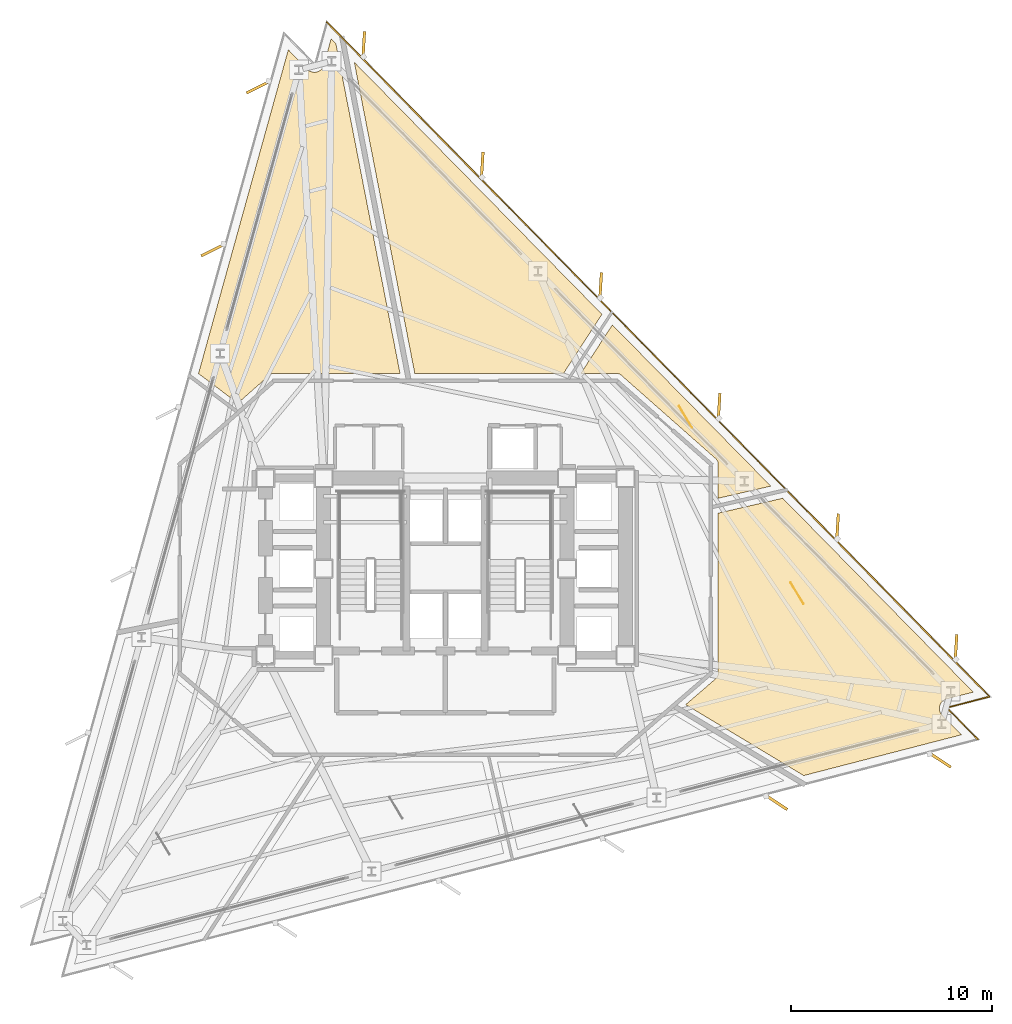
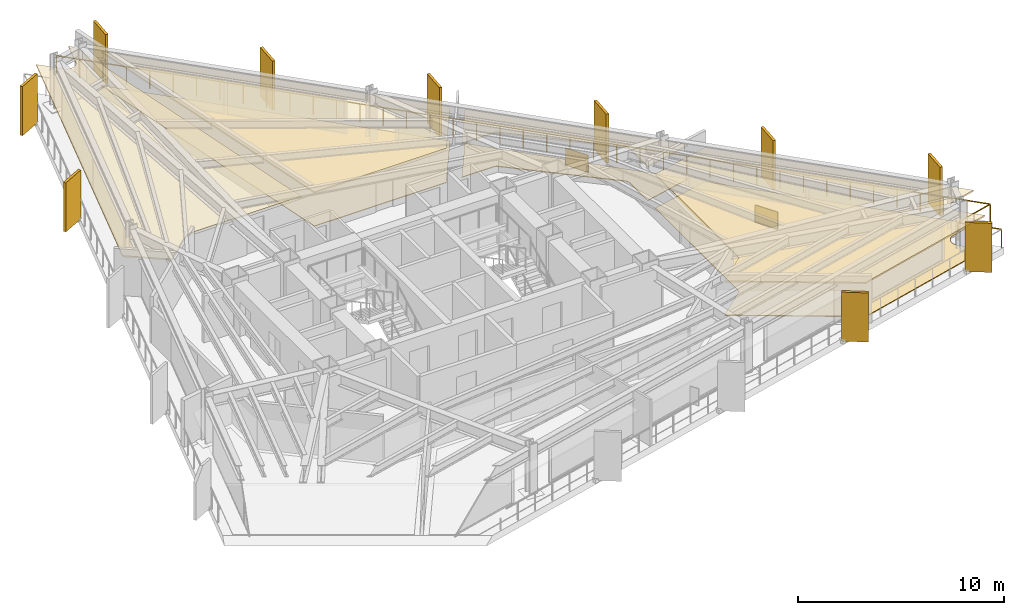
# One storey, part 11 of 11: 10 shading devices, 9 coverings, 1 railing.
"""IFC4 building model written with IfcOpenShell, lengths in metres."""

from ifc_helpers import new_model, si_unit, direction, frame, origin, origin_2d, place, context, subcontext, project, spatial, polyline, rectangle, outline, extrude, material, layer, layer_set, type_object, element, save


model = new_model("IFC4")

# Units and contexts
model_context = context("Model", 3, precision=1e-05, world=origin(), true_north=direction((0.0, 1.0)))
body_context = subcontext(model_context, "Body", "Model", "MODEL_VIEW")
ifc_project = project(units=[si_unit("LENGTHUNIT", "METRE"), si_unit("AREAUNIT", "SQUARE_METRE"), si_unit("VOLUMEUNIT", "CUBIC_METRE"), si_unit("PLANEANGLEUNIT", "RADIAN"), si_unit("MASSUNIT", "GRAM", prefix="KILO")], contexts=[model_context])

# Site, building, storey
site_placement = place(None, origin())
site = spatial("IfcSite", under=ifc_project, at=site_placement, CompositionType="ELEMENT")
building_placement = place(site_placement, origin())
building = spatial("IfcBuilding", under=site, at=building_placement, Name="Rocaltana Carrier Exchange", CompositionType="ELEMENT")
storey_placement = place(building_placement, frame((0.0, 0.0, 76.47998046875)))
storey = spatial("IfcBuildingStorey", under=building, at=storey_placement, Name="L23", CompositionType="ELEMENT", Elevation=76.47998046875)

# Coverings
ifc_material_1 = material(Name="Honed Bogota Sandstone Tile", Category="masonry")
ifc_layer_1 = layer(ifc_material_1, 0.0400390625)
ifc_layer_set_1 = layer_set([ifc_layer_1], Name="Honed Bogota Sandstone Tile")
covering_type_1 = type_object("IfcCoveringType", Name="Honed Stone Lobby Flooring 40", PredefinedType="FLOORING", material=ifc_layer_set_1)
covering_1_placement = place(storey_placement, origin())
element("IfcCovering", 1, at=covering_1_placement, inside=storey, type_object=covering_type_1, Name="L23 Optical Switching Laboratory Finish Floor", PredefinedType="FLOORING", context=body_context, shape_type="SweptSolid", body=[
    extrude(outline(polyline([(26.24072265625, -6.1357421875), (24.915771484375, -6.478515625), (24.90234375, -6.482177734375), (24.88330078125, -6.48828125), (24.857177734375, -6.497802734375), (24.838623046875, -6.505615234375), (24.813720703125, -6.517822265625), (24.796142578125, -6.52734375), (24.7724609375, -6.5419921875), (24.755859375, -6.553466796875), (24.73388671875, -6.5703125), (24.718505859375, -6.583251953125), (24.697998046875, -6.602294921875), (24.684326171875, -6.61669921875), (24.666015625, -6.6376953125), (24.653564453125, -6.6533203125), (24.63720703125, -6.67578125), (24.62646484375, -6.692626953125), (24.61279296875, -6.717041015625), (24.603515625, -6.734619140625), (24.59228515625, -6.76025390625), (24.5849609375, -6.77880859375), (24.576416015625, -6.805419921875), (24.57080078125, -6.824462890625), (24.564697265625, -6.851806640625), (24.561279296875, -6.871337890625), (24.55810546875, -6.899169921875), (24.556640625, -6.9189453125), (24.55615234375, -6.947021484375), (24.556640625, -6.966796875), (24.558837890625, -6.99462890625), (24.561279296875, -7.014404296875), (24.56640625, -7.0419921875), (24.57080078125, -7.061279296875), (24.57861328125, -7.088134765625), (24.5849609375, -7.10693359375), (24.59521484375, -7.133056640625), (24.603515625, -7.151123046875), (24.6162109375, -7.17578125), (24.626220703125, -7.193115234375), (24.6416015625, -7.216552734375), (24.6533203125, -7.232666015625), (24.6708984375, -7.25439453125), (24.68408203125, -7.269287109375), (24.693603515625, -7.279541015625), (25.65283203125, -8.255615234375), (17.81298828125, -10.283203125), (11.944580078125, -6.757080078125), (13.43505859375, -5.47265625), (13.44482421875, -5.4638671875), (13.450439453125, -5.45849609375), (13.468994140625, -5.439208984375), (13.47412109375, -5.433349609375), (13.490478515625, -5.41259765625), (13.4951171875, -5.40625), (13.509521484375, -5.3837890625), (13.51318359375, -5.377197265625), (13.525634765625, -5.353515625), (13.52880859375, -5.346435546875), (13.538818359375, -5.32177734375), (13.541259765625, -5.314453125), (13.548828125, -5.288818359375), (13.550537109375, -5.281494140625), (13.5556640625, -5.255126953125), (13.556884765625, -5.24755859375), (13.559326171875, -5.220947265625), (13.559814453125, -5.21337890625), (13.56005859375, -5.199951171875), (13.56005859375, 2.760986328125), (16.769775390625, 3.502197265625), (26.24072265625, -6.1357421875)])), origin(), (0.0, 0.0, 1.0), 0.0400390625),
])
covering_2_placement = place(storey_placement, origin())
element("IfcCovering", 2, at=covering_2_placement, inside=storey, type_object=covering_type_1, Name="L23 Executive Peering Boardroom Finish Floor", PredefinedType="FLOORING", context=body_context, shape_type="SweptSolid", body=[
    extrude(outline(polyline([(16.177734375, 4.1044921875), (13.56005859375, 3.5), (13.56005859375, 5.199951171875), (13.559814453125, 5.213134765625), (13.559326171875, 5.220703125), (13.556884765625, 5.246826171875), (13.555908203125, 5.25439453125), (13.55078125, 5.2802734375), (13.549072265625, 5.28759765625), (13.541748046875, 5.31298828125), (13.539306640625, 5.320068359375), (13.529541015625, 5.344482421875), (13.526611328125, 5.351318359375), (13.5146484375, 5.375), (13.5107421875, 5.38134765625), (13.49658203125, 5.40380859375), (13.492431640625, 5.409912109375), (13.476318359375, 5.4306640625), (13.471435546875, 5.436279296875), (13.453369140625, 5.455810546875), (13.447998046875, 5.4609375), (13.438232421875, 5.469970703125), (8.73828125, 9.619873046875), (8.727294921875, 9.629150390625), (8.720703125, 9.63427734375), (8.697265625, 9.651123046875), (8.690185546875, 9.655517578125), (8.6650390625, 9.669921875), (8.65771484375, 9.673583984375), (8.631103515625, 9.68505859375), (8.62353515625, 9.68798828125), (8.595947265625, 9.697021484375), (8.587890625, 9.698974609375), (8.5595703125, 9.704833984375), (8.551513671875, 9.706298828125), (8.522705078125, 9.709228515625), (8.514404296875, 9.709716796875), (8.5, 9.7099609375), (6.735107421875, 9.7099609375), (8.30029296875, 12.12060546875), (16.177734375, 4.1044921875)])), origin(), (0.0, 0.0, 1.0), 0.0400390625),
])
covering_3_placement = place(storey_placement, origin())
element("IfcCovering", 3, at=covering_3_placement, inside=storey, type_object=covering_type_1, Name="L23 Peering Conference Room Finish Floor", PredefinedType="FLOORING", context=body_context, shape_type="SweptSolid", body=[
    extrude(outline(polyline([(7.783447265625, 12.646484375), (5.87646484375, 9.7099609375), (-1.520751953125, 9.7099609375), (-4.5263671875, 25.173095703125), (7.783447265625, 12.646484375)])), origin(), (0.0, 0.0, 1.0), 0.0400390625),
])
ifc_material_2 = material(Name="Anodised Aluminium 6063-T6", Category="aluminium")
ifc_layer_2 = layer(ifc_material_2, 0.0849609375)
ifc_layer_set_2 = layer_set([ifc_layer_2], Name="Anodised Aluminium 6063-T6")
covering_type_2 = type_object("IfcCoveringType", Name="Linear Baffle Acoustic Ceiling 85", PredefinedType="CEILING", material=ifc_layer_set_2)
covering_4_placement = place(storey_placement, frame((0.0, 0.0, 1.972900390625)))
element("IfcCovering", 4, at=covering_4_placement, inside=storey, type_object=covering_type_2, Name="L23 Optical Switching Laboratory Acoustic Ceiling", PredefinedType="CEILING", context=body_context, shape_type="SweptSolid", body=[
    extrude(outline(polyline([(26.24072265625, -6.1357421875), (24.915771484375, -6.478515625), (24.90234375, -6.482177734375), (24.88330078125, -6.48828125), (24.857177734375, -6.497802734375), (24.838623046875, -6.505615234375), (24.813720703125, -6.517822265625), (24.796142578125, -6.52734375), (24.7724609375, -6.5419921875), (24.755859375, -6.553466796875), (24.73388671875, -6.5703125), (24.718505859375, -6.583251953125), (24.697998046875, -6.602294921875), (24.684326171875, -6.61669921875), (24.666015625, -6.6376953125), (24.653564453125, -6.6533203125), (24.63720703125, -6.67578125), (24.62646484375, -6.692626953125), (24.61279296875, -6.717041015625), (24.603515625, -6.734619140625), (24.59228515625, -6.76025390625), (24.5849609375, -6.77880859375), (24.576416015625, -6.805419921875), (24.57080078125, -6.824462890625), (24.564697265625, -6.851806640625), (24.561279296875, -6.871337890625), (24.55810546875, -6.899169921875), (24.556640625, -6.9189453125), (24.55615234375, -6.947021484375), (24.556640625, -6.966796875), (24.558837890625, -6.99462890625), (24.561279296875, -7.014404296875), (24.56640625, -7.0419921875), (24.57080078125, -7.061279296875), (24.57861328125, -7.088134765625), (24.5849609375, -7.10693359375), (24.59521484375, -7.133056640625), (24.603515625, -7.151123046875), (24.6162109375, -7.17578125), (24.626220703125, -7.193115234375), (24.6416015625, -7.216552734375), (24.6533203125, -7.232666015625), (24.6708984375, -7.25439453125), (24.68408203125, -7.269287109375), (24.693603515625, -7.279541015625), (25.65283203125, -8.255615234375), (17.81298828125, -10.283203125), (11.944580078125, -6.757080078125), (13.43505859375, -5.47265625), (13.44482421875, -5.4638671875), (13.450439453125, -5.45849609375), (13.468994140625, -5.439208984375), (13.47412109375, -5.433349609375), (13.490478515625, -5.41259765625), (13.4951171875, -5.40625), (13.509521484375, -5.3837890625), (13.51318359375, -5.377197265625), (13.525634765625, -5.353515625), (13.52880859375, -5.346435546875), (13.538818359375, -5.32177734375), (13.541259765625, -5.314453125), (13.548828125, -5.288818359375), (13.550537109375, -5.281494140625), (13.5556640625, -5.255126953125), (13.556884765625, -5.24755859375), (13.559326171875, -5.220947265625), (13.559814453125, -5.21337890625), (13.56005859375, -5.199951171875), (13.56005859375, 2.760986328125), (16.769775390625, 3.502197265625), (26.24072265625, -6.1357421875)])), origin(), (0.0, 0.0, 1.0), 0.085205078125),
])
covering_5_placement = place(storey_placement, frame((0.0, 0.0, 1.972900390625)))
element("IfcCovering", 5, at=covering_5_placement, inside=storey, type_object=covering_type_2, Name="L23 Executive Peering Boardroom Acoustic Ceiling", PredefinedType="CEILING", context=body_context, shape_type="SweptSolid", body=[
    extrude(outline(polyline([(16.177734375, 4.1044921875), (13.56005859375, 3.5), (13.56005859375, 5.199951171875), (13.559814453125, 5.213134765625), (13.559326171875, 5.220703125), (13.556884765625, 5.246826171875), (13.555908203125, 5.25439453125), (13.55078125, 5.2802734375), (13.549072265625, 5.28759765625), (13.541748046875, 5.31298828125), (13.539306640625, 5.320068359375), (13.529541015625, 5.344482421875), (13.526611328125, 5.351318359375), (13.5146484375, 5.375), (13.5107421875, 5.38134765625), (13.49658203125, 5.40380859375), (13.492431640625, 5.409912109375), (13.476318359375, 5.4306640625), (13.471435546875, 5.436279296875), (13.453369140625, 5.455810546875), (13.447998046875, 5.4609375), (13.438232421875, 5.469970703125), (8.73828125, 9.619873046875), (8.727294921875, 9.629150390625), (8.720703125, 9.63427734375), (8.697265625, 9.651123046875), (8.690185546875, 9.655517578125), (8.6650390625, 9.669921875), (8.65771484375, 9.673583984375), (8.631103515625, 9.68505859375), (8.62353515625, 9.68798828125), (8.595947265625, 9.697021484375), (8.587890625, 9.698974609375), (8.5595703125, 9.704833984375), (8.551513671875, 9.706298828125), (8.522705078125, 9.709228515625), (8.514404296875, 9.709716796875), (8.5, 9.7099609375), (6.735107421875, 9.7099609375), (8.30029296875, 12.12060546875), (16.177734375, 4.1044921875)])), origin(), (0.0, 0.0, 1.0), 0.085205078125),
])
covering_6_placement = place(storey_placement, frame((0.0, 0.0, 1.972900390625)))
element("IfcCovering", 6, at=covering_6_placement, inside=storey, type_object=covering_type_2, Name="L23 Peering Conference Room Acoustic Ceiling", PredefinedType="CEILING", context=body_context, shape_type="SweptSolid", body=[
    extrude(outline(polyline([(7.783447265625, 12.646484375), (5.87646484375, 9.7099609375), (-1.520751953125, 9.7099609375), (-4.5263671875, 25.173095703125), (7.783447265625, 12.646484375)])), origin(), (0.0, 0.0, 1.0), 0.085205078125),
])
covering_7_placement = place(storey_placement, frame((0.0, 0.0, 1.972900390625)))
element("IfcCovering", 7, at=covering_7_placement, inside=storey, type_object=covering_type_2, Name="L23 Quiet Focus Lounge Acoustic Ceiling", PredefinedType="CEILING", context=body_context, shape_type="SweptSolid", body=[
    extrude(outline(polyline([(-7.806640625, 25.79296875), (-6.847412109375, 24.81689453125), (-6.83740234375, 24.80712890625), (-6.82275390625, 24.793701171875), (-6.80126953125, 24.775634765625), (-6.785400390625, 24.763671875), (-6.76220703125, 24.748046875), (-6.7451171875, 24.73779296875), (-6.720703125, 24.724609375), (-6.70263671875, 24.7158203125), (-6.677001953125, 24.705078125), (-6.658203125, 24.698486328125), (-6.63134765625, 24.690185546875), (-6.612060546875, 24.685302734375), (-6.584716796875, 24.679931640625), (-6.56494140625, 24.677001953125), (-6.537109375, 24.67431640625), (-6.517333984375, 24.673583984375), (-6.489501953125, 24.673583984375), (-6.469482421875, 24.6748046875), (-6.441650390625, 24.677490234375), (-6.422119140625, 24.6806640625), (-6.39453125, 24.686279296875), (-6.375244140625, 24.691162109375), (-6.3486328125, 24.699462890625), (-6.330078125, 24.706298828125), (-6.30419921875, 24.71728515625), (-6.286376953125, 24.72607421875), (-6.261962890625, 24.739501953125), (-6.244873046875, 24.75), (-6.221923828125, 24.765869140625), (-6.2060546875, 24.77783203125), (-6.184814453125, 24.7958984375), (-6.170166015625, 24.8095703125), (-6.15087890625, 24.82958984375), (-6.1376953125, 24.844482421875), (-6.120361328125, 24.866455078125), (-6.108642578125, 24.8828125), (-6.09375, 24.90625), (-6.083740234375, 24.923583984375), (-6.071044921875, 24.948486328125), (-6.06298828125, 24.966552734375), (-6.052978515625, 24.99267578125), (-6.046630859375, 25.01171875), (-6.04248046875, 25.02490234375), (-5.6767578125, 26.34375), (-5.44091796875, 26.103759765625), (-2.254150390625, 9.7099609375), (-8.5, 9.7099609375), (-8.514404296875, 9.709716796875), (-8.522705078125, 9.709228515625), (-8.551513671875, 9.706298828125), (-8.5595703125, 9.704833984375), (-8.587890625, 9.698974609375), (-8.595947265625, 9.697021484375), (-8.62353515625, 9.68798828125), (-8.631103515625, 9.68505859375), (-8.65771484375, 9.673583984375), (-8.6650390625, 9.669921875), (-8.690185546875, 9.655517578125), (-8.697265625, 9.651123046875), (-8.720703125, 9.63427734375), (-8.727294921875, 9.629150390625), (-8.73828125, 9.619873046875), (-10.3173828125, 8.2255859375), (-12.2705078125, 9.697265625), (-7.806640625, 25.79296875)])), origin(), (0.0, 0.0, 1.0), 0.085205078125),
])
ifc_material_3 = material(Name="Honed Piedra Muneca Sandstone", Category="masonry")
ifc_layer_3 = layer(ifc_material_3, 0.034912109375)
ifc_layer_set_3 = layer_set([ifc_layer_3], Name="Honed Piedra Muneca Sandstone")
covering_type_3 = type_object("IfcCoveringType", Name="Stone Facade Cladding 35", PredefinedType="CLADDING", material=ifc_layer_set_3)
for number, where, z_axis, x_axis, name in (
    (8, (17.48486328125, -1.219482421875, 0.0), (0.0, 0.0, 1.0), (-0.51503807491, 0.857167300702, 0.0), "L23 Stone Facade Cladding Panel 4"),
    (9, (11.942626953125, 7.544921875, 0.0), (0.0, 0.0, 1.0), (-0.51503807491, 0.857167300702, 0.0), "L23 Stone Facade Cladding Panel 5"),
):
    element("IfcCovering", number, at=place(storey_placement, frame(where, z_axis=z_axis, x_axis=x_axis)), inside=storey, type_object=covering_type_3, Name=name, PredefinedType="CLADDING", context=body_context, shape_type="SweptSolid", body=[
        extrude(rectangle(XDim=1.25, YDim=0.034912109375, at=origin_2d()), origin(), (0.0, 0.0, 1.0), 1.050048828125),
    ])

# Shading devices
ifc_material_4 = material(Name="Honed Bogota Sandstone & Concrete C45/55", Category="masonry")
ifc_layer_4 = layer(ifc_material_4, 0.139892578125)
ifc_layer_set_4 = layer_set([ifc_layer_4], Name="Honed Bogota Sandstone & Concrete C45/55")
shading_device_type = type_object("IfcShadingDeviceType", Name="Vertical Sandstone Shading Fin 1320x140", PredefinedType="USERDEFINED", material=ifc_layer_set_4)
for number, where, z_axis, x_axis, name in (
    (10, (25.38134765625, -3.9189453125, -0.1201171875), (0.0, 0.0, 1.0), (0.061048539535, 0.998134798422, 0.0), "L23 Sandstone Vertical Fin F1-01"),
    (11, (19.49365234375, 2.072509765625, -0.1201171875), (0.0, 0.0, 1.0), (0.061048539535, 0.998134798422, 0.0), "L23 Sandstone Vertical Fin F1-02"),
    (12, (13.60595703125, 8.063720703125, -0.1201171875), (0.0, 0.0, 1.0), (0.061048539535, 0.998134798422, 0.0), "L23 Sandstone Vertical Fin F1-03"),
    (13, (7.718505859375, 14.054931640625, -0.1201171875), (0.0, 0.0, 1.0), (0.061048539535, 0.998134798422, 0.0), "L23 Sandstone Vertical Fin F1-04"),
    (14, (1.830810546875, 20.04638671875, -0.1201171875), (0.0, 0.0, 1.0), (0.061048539535, 0.998134798422, 0.0), "L23 Sandstone Vertical Fin F1-05"),
    (15, (-4.056884765625, 26.03759765625, -0.1201171875), (0.0, 0.0, 1.0), (0.061048539535, 0.998134798422, 0.0), "L23 Sandstone Vertical Fin F1-06"),
    (16, (-9.296630859375, 23.940185546875, -0.1201171875), (0.0, 0.0, 1.0), (-0.894934361602, -0.44619781311, 0.0), "L23 Sandstone Vertical Fin F2-01"),
    (17, (-11.54150390625, 15.845703125, -0.1201171875), (0.0, 0.0, 1.0), (-0.894934361602, -0.44619781311, 0.0), "L23 Sandstone Vertical Fin F2-02"),
    (18, (16.4453125, -11.608642578125, -0.1201171875), (0.0, 0.0, 1.0), (0.833885822067, -0.551936985312, 0.0), "L23 Sandstone Vertical Fin F3-05"),
    (19, (24.57763671875, -9.50537109375, -0.1201171875), (0.0, 0.0, 1.0), (0.833885822067, -0.551936985312, 0.0), "L23 Sandstone Vertical Fin F3-06"),
):
    element("IfcShadingDevice", number, at=place(storey_placement, frame(where, z_axis=z_axis, x_axis=x_axis)), inside=storey, type_object=shading_device_type, Name=name, ObjectType="FIN", PredefinedType="USERDEFINED", context=body_context, shape_type="SweptSolid", body=[
        extrude(rectangle(XDim=1.320068359375, YDim=0.139892578125, at=origin_2d()), origin(), (0.0, 0.0, 1.0), 2.907958984375),
    ])

# Railing
ifc_material_5 = material(Name="Powder-Coated Aluminium 6063-T6", Category="aluminium")
ifc_layer_5 = layer(ifc_material_5, 0.06005859375)
ifc_layer_set_5 = layer_set([ifc_layer_5], Name="Powder-Coated Aluminium 6063-T6")
railing_type = type_object("IfcRailingType", Name="Wind-Floor & Terrace Perimeter Guardrail 1100", PredefinedType="GUARDRAIL", material=ifc_layer_set_5)
railing_placement = place(storey_placement, frame((-5.88720703125, 27.156982421875, 0.0)))
element("IfcRailing", 20, at=railing_placement, inside=storey, type_object=railing_type, Name="L23 Perimeter Balcony Guardrail 3", PredefinedType="GUARDRAIL", context=body_context, shape_type="SweptSolid", body=[
    extrude(rectangle(XDim=0.048095703125, YDim=0.048095703125, at=origin_2d()), frame((0.0, 0.0, 1.076171875), z_axis=(0.7009130267, -0.713246751835, 0.0), x_axis=(0.713246751835, 0.7009130267, 0.0)), (0.0, 0.0, 1.0), 46.9921875),
    extrude(rectangle(XDim=0.048095703125, YDim=0.048095703125, at=origin_2d()), frame((32.9375, -33.51708984375, 1.076171875), z_axis=(-0.968152477167, -0.250361300835, 0.0), x_axis=(0.250361300835, -0.968152477167, 0.0)), (0.0, 0.0, 1.0), 2.199951171875),
    extrude(rectangle(XDim=0.048095703125, YDim=0.048095703125, at=origin_2d()), frame((30.8076171875, -34.06787109375, 1.076171875), z_axis=(0.700920820206, -0.713239093012, 0.0), x_axis=(0.713239093012, 0.700920820206, 0.0)), (0.0, 0.0, 1.0), 2.199951171875),
    extrude(rectangle(XDim=0.0419921875, YDim=0.0419921875, at=origin_2d()), origin(), (0.0, 0.0, 1.0), 1.052001953125),
    extrude(rectangle(XDim=0.0419921875, YDim=0.0419921875, at=origin_2d()), frame((0.823486328125, -0.837890625, 0.0)), (0.0, 0.0, 1.0), 1.052001953125),
    extrude(rectangle(XDim=0.0419921875, YDim=0.0419921875, at=origin_2d()), frame((1.64697265625, -1.67578125, 0.0)), (0.0, 0.0, 1.0), 1.052001953125),
    extrude(rectangle(XDim=0.0419921875, YDim=0.0419921875, at=origin_2d()), frame((2.47021484375, -2.513671875, 0.0)), (0.0, 0.0, 1.0), 1.052001953125),
    extrude(rectangle(XDim=0.0419921875, YDim=0.0419921875, at=origin_2d()), frame((3.293701171875, -3.351806640625, 0.0)), (0.0, 0.0, 1.0), 1.052001953125),
    extrude(rectangle(XDim=0.0419921875, YDim=0.0419921875, at=origin_2d()), frame((4.1171875, -4.189697265625, 0.0)), (0.0, 0.0, 1.0), 1.052001953125),
    extrude(rectangle(XDim=0.0419921875, YDim=0.0419921875, at=origin_2d()), frame((4.940673828125, -5.027587890625, 0.0)), (0.0, 0.0, 1.0), 1.052001953125),
    extrude(rectangle(XDim=0.0419921875, YDim=0.0419921875, at=origin_2d()), frame((5.76416015625, -5.865478515625, 0.0)), (0.0, 0.0, 1.0), 1.052001953125),
    extrude(rectangle(XDim=0.0419921875, YDim=0.0419921875, at=origin_2d()), frame((6.58740234375, -6.703369140625, 0.0)), (0.0, 0.0, 1.0), 1.052001953125),
    extrude(rectangle(XDim=0.0419921875, YDim=0.0419921875, at=origin_2d()), frame((7.410888671875, -7.541259765625, 0.0)), (0.0, 0.0, 1.0), 1.052001953125),
    extrude(rectangle(XDim=0.0419921875, YDim=0.0419921875, at=origin_2d()), frame((8.234375, -8.37939453125, 0.0)), (0.0, 0.0, 1.0), 1.052001953125),
    extrude(rectangle(XDim=0.0419921875, YDim=0.0419921875, at=origin_2d()), frame((9.057861328125, -9.21728515625, 0.0)), (0.0, 0.0, 1.0), 1.052001953125),
    extrude(rectangle(XDim=0.0419921875, YDim=0.0419921875, at=origin_2d()), frame((9.88134765625, -10.05517578125, 0.0)), (0.0, 0.0, 1.0), 1.052001953125),
    extrude(rectangle(XDim=0.0419921875, YDim=0.0419921875, at=origin_2d()), frame((10.70458984375, -10.89306640625, 0.0)), (0.0, 0.0, 1.0), 1.052001953125),
    extrude(rectangle(XDim=0.0419921875, YDim=0.0419921875, at=origin_2d()), frame((11.528076171875, -11.73095703125, 0.0)), (0.0, 0.0, 1.0), 1.052001953125),
    extrude(rectangle(XDim=0.0419921875, YDim=0.0419921875, at=origin_2d()), frame((12.3515625, -12.56884765625, 0.0)), (0.0, 0.0, 1.0), 1.052001953125),
    extrude(rectangle(XDim=0.0419921875, YDim=0.0419921875, at=origin_2d()), frame((13.175048828125, -13.40673828125, 0.0)), (0.0, 0.0, 1.0), 1.052001953125),
    extrude(rectangle(XDim=0.0419921875, YDim=0.0419921875, at=origin_2d()), frame((13.99853515625, -14.244873046875, 0.0)), (0.0, 0.0, 1.0), 1.052001953125),
    extrude(rectangle(XDim=0.0419921875, YDim=0.0419921875, at=origin_2d()), frame((14.82177734375, -15.082763671875, 0.0)), (0.0, 0.0, 1.0), 1.052001953125),
    extrude(rectangle(XDim=0.0419921875, YDim=0.0419921875, at=origin_2d()), frame((15.645263671875, -15.920654296875, 0.0)), (0.0, 0.0, 1.0), 1.052001953125),
    extrude(rectangle(XDim=0.0419921875, YDim=0.0419921875, at=origin_2d()), frame((16.46875, -16.758544921875, 0.0)), (0.0, 0.0, 1.0), 1.052001953125),
    extrude(rectangle(XDim=0.0419921875, YDim=0.0419921875, at=origin_2d()), frame((17.292236328125, -17.596435546875, 0.0)), (0.0, 0.0, 1.0), 1.052001953125),
    extrude(rectangle(XDim=0.0419921875, YDim=0.0419921875, at=origin_2d()), frame((18.11572265625, -18.434326171875, 0.0)), (0.0, 0.0, 1.0), 1.052001953125),
    extrude(rectangle(XDim=0.0419921875, YDim=0.0419921875, at=origin_2d()), frame((18.93896484375, -19.272216796875, 0.0)), (0.0, 0.0, 1.0), 1.052001953125),
    extrude(rectangle(XDim=0.0419921875, YDim=0.0419921875, at=origin_2d()), frame((19.762451171875, -20.1103515625, 0.0)), (0.0, 0.0, 1.0), 1.052001953125),
    extrude(rectangle(XDim=0.0419921875, YDim=0.0419921875, at=origin_2d()), frame((20.5859375, -20.9482421875, 0.0)), (0.0, 0.0, 1.0), 1.052001953125),
    extrude(rectangle(XDim=0.0419921875, YDim=0.0419921875, at=origin_2d()), frame((21.409423828125, -21.7861328125, 0.0)), (0.0, 0.0, 1.0), 1.052001953125),
    extrude(rectangle(XDim=0.0419921875, YDim=0.0419921875, at=origin_2d()), frame((22.23291015625, -22.6240234375, 0.0)), (0.0, 0.0, 1.0), 1.052001953125),
    extrude(rectangle(XDim=0.0419921875, YDim=0.0419921875, at=origin_2d()), frame((23.05615234375, -23.4619140625, 0.0)), (0.0, 0.0, 1.0), 1.052001953125),
    extrude(rectangle(XDim=0.0419921875, YDim=0.0419921875, at=origin_2d()), frame((23.879638671875, -24.2998046875, 0.0)), (0.0, 0.0, 1.0), 1.052001953125),
    extrude(rectangle(XDim=0.0419921875, YDim=0.0419921875, at=origin_2d()), frame((24.703125, -25.1376953125, 0.0)), (0.0, 0.0, 1.0), 1.052001953125),
    extrude(rectangle(XDim=0.0419921875, YDim=0.0419921875, at=origin_2d()), frame((25.526611328125, -25.975830078125, 0.0)), (0.0, 0.0, 1.0), 1.052001953125),
    extrude(rectangle(XDim=0.0419921875, YDim=0.0419921875, at=origin_2d()), frame((26.35009765625, -26.813720703125, 0.0)), (0.0, 0.0, 1.0), 1.052001953125),
    extrude(rectangle(XDim=0.0419921875, YDim=0.0419921875, at=origin_2d()), frame((27.17333984375, -27.651611328125, 0.0)), (0.0, 0.0, 1.0), 1.052001953125),
    extrude(rectangle(XDim=0.0419921875, YDim=0.0419921875, at=origin_2d()), frame((27.996826171875, -28.489501953125, 0.0)), (0.0, 0.0, 1.0), 1.052001953125),
    extrude(rectangle(XDim=0.0419921875, YDim=0.0419921875, at=origin_2d()), frame((28.8203125, -29.327392578125, 0.0)), (0.0, 0.0, 1.0), 1.052001953125),
    extrude(rectangle(XDim=0.0419921875, YDim=0.0419921875, at=origin_2d()), frame((29.643798828125, -30.165283203125, 0.0)), (0.0, 0.0, 1.0), 1.052001953125),
    extrude(rectangle(XDim=0.0419921875, YDim=0.0419921875, at=origin_2d()), frame((30.46728515625, -31.00341796875, 0.0)), (0.0, 0.0, 1.0), 1.052001953125),
    extrude(rectangle(XDim=0.0419921875, YDim=0.0419921875, at=origin_2d()), frame((31.29052734375, -31.84130859375, 0.0)), (0.0, 0.0, 1.0), 1.052001953125),
    extrude(rectangle(XDim=0.0419921875, YDim=0.0419921875, at=origin_2d()), frame((32.114013671875, -32.67919921875, 0.0)), (0.0, 0.0, 1.0), 1.052001953125),
    extrude(rectangle(XDim=0.0419921875, YDim=0.0419921875, at=origin_2d()), frame((32.9375, -33.51708984375, 0.0)), (0.0, 0.0, 1.0), 1.052001953125),
    extrude(rectangle(XDim=0.0419921875, YDim=0.0419921875, at=origin_2d()), frame((31.87255859375, -33.79248046875, 0.0)), (0.0, 0.0, 1.0), 1.052001953125),
    extrude(rectangle(XDim=0.0419921875, YDim=0.0419921875, at=origin_2d()), frame((30.8076171875, -34.06787109375, 0.0)), (0.0, 0.0, 1.0), 1.052001953125),
    extrude(rectangle(XDim=0.0419921875, YDim=0.0419921875, at=origin_2d()), frame((31.57861328125, -34.8525390625, 0.0)), (0.0, 0.0, 1.0), 1.052001953125),
    extrude(rectangle(XDim=0.0419921875, YDim=0.0419921875, at=origin_2d()), frame((32.349609375, -35.636962890625, 0.0)), (0.0, 0.0, 1.0), 1.052001953125),
])

save(model, "model.ifc")
